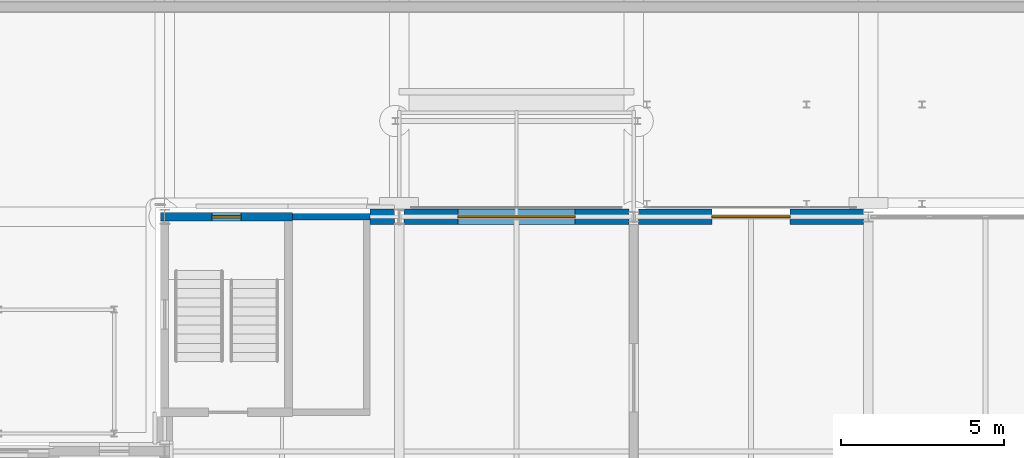
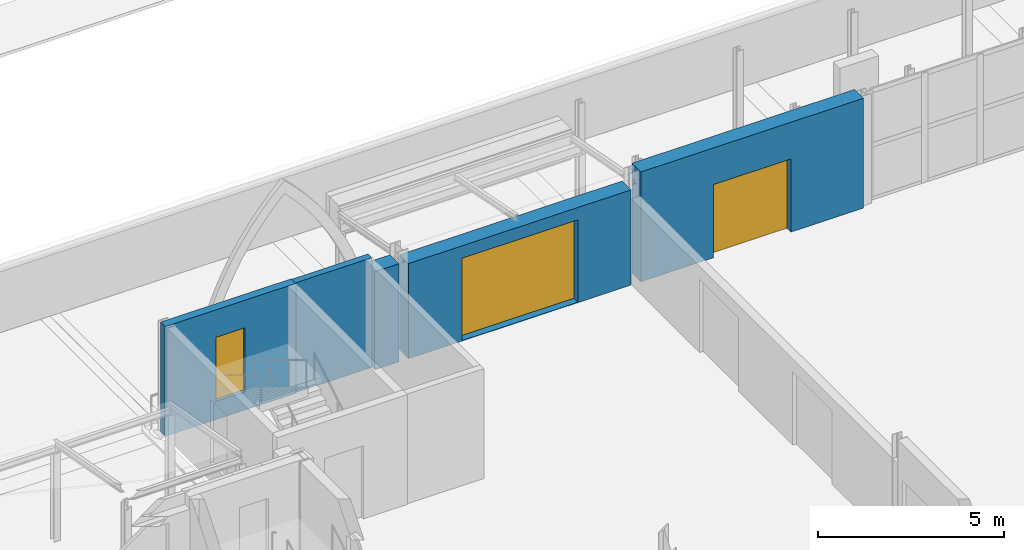
# One storey, part 86 of 143: 5 walls, 2 doors, 1 window, 3 openings.
"""IFC4 building model written with IfcOpenShell, lengths in metres."""

from ifc_helpers import new_model, si_unit, direction, frame, frame_2d, origin, place, context, subcontext, project, spatial, rectangle, extrude, material, layer, layer_set, type_object, element, fill, save


model = new_model("IFC4")

# Units and contexts
model_context = context("Model", 3, precision=1e-05, world=origin(), true_north=direction((0.0, 1.0)))
body_context = subcontext(model_context, "Body", "Model", "MODEL_VIEW")
ifc_project = project(units=[si_unit("LENGTHUNIT", "METRE"), si_unit("AREAUNIT", "SQUARE_METRE"), si_unit("VOLUMEUNIT", "CUBIC_METRE"), si_unit("PLANEANGLEUNIT", "RADIAN"), si_unit("MASSUNIT", "GRAM", prefix="KILO")], contexts=[model_context])

# Site, building, storey
site_placement = place(None, origin())
site = spatial("IfcSite", under=ifc_project, at=site_placement, CompositionType="ELEMENT")
building_placement = place(site_placement, origin())
building = spatial("IfcBuilding", under=site, at=building_placement, Name="Kupolbacken Congress Centre", CompositionType="ELEMENT")
storey_placement = place(building_placement, frame((0.0, 0.0, 7.199951171875)))
storey = spatial("IfcBuildingStorey", under=building, at=storey_placement, Name="L02", CompositionType="ELEMENT", Elevation=7.199951171875)

# Wall, opening, door
ifc_material_1 = material(Name="Limestone", Category="masonry")
ifc_layer_1 = layer(ifc_material_1, 0.14990234375)
ifc_material_2 = material(Name="Air cavity", Category="air")
ifc_layer_2 = layer(ifc_material_2, 0.0400390625, ventilated=True)
ifc_material_3 = material(Name="Mineral wool", Category="insulation")
ifc_layer_3 = layer(ifc_material_3, 0.169921875)
ifc_material_4 = material(Name="Concrete block", Category="masonry")
ifc_layer_4 = layer(ifc_material_4, 0.1201171875)
ifc_layer_set_1 = layer_set([ifc_layer_1, ifc_layer_2, ifc_layer_3, ifc_layer_4], Name="Limestone / Mineral wool / Concrete block")
wall_type_1 = type_object("IfcWallType", Name="EW07 external cavity wall 480", PredefinedType="SOLIDWALL", material=ifc_layer_set_1)
wall_1_placement = place(storey_placement, frame((158.25, 151.199951171875, 0.0), z_axis=(0.0, 0.0, 1.0), x_axis=(-1.0, 0.0, 0.0)))
wall_1 = element("IfcWall", 1, at=wall_1_placement, inside=storey, type_object=wall_type_1, Name="E/B/N/L02/211", PredefinedType="SOLIDWALL", context=body_context, shape_type="SweptSolid", body=[
    extrude(rectangle(XDim=6.89990234375, YDim=0.47998046875, at=frame_2d((3.449951171875, 0.0))), origin(), (0.0, 0.0, 1.0), 3.60009765625),
])
opening_1_placement = place(wall_1_placement, frame((2.25, 0.0, 0.0)))
opening_1 = element("IfcOpeningElement", 2, at=opening_1_placement, cuts=wall_1, Name="Opening D18", PredefinedType="OPENING", context=body_context, shape_type="SweptSolid", body=[
    extrude(rectangle(XDim=2.39990234375, YDim=2.39990234375, at=frame_2d((1.199951171875, 1.199951171875))), frame((0.0, 0.25, 0.0), z_axis=(0.0, -1.0, 0.0), x_axis=(1.0, 0.0, 0.0)), (0.0, 0.0, 1.0), 0.5),
])
ifc_material_5 = material(Name="Timber door leaf", Category="wood")
door_type_1 = type_object("IfcDoorType", Name="D18 door 2400x2400", OperationType="DOUBLE_DOOR_SINGLE_SWING", PredefinedType="DOOR", material=ifc_material_5)
door_1_placement = place(opening_1_placement, frame((2.39990234375, 0.0, 0.0), z_axis=(0.0, 0.0, 1.0), x_axis=(-1.0, 0.0, 0.0)))
door_1 = element("IfcDoor", 3, at=door_1_placement, inside=storey, type_object=door_type_1, Name="Ballroom exit N1", OperationType="DOUBLE_DOOR_SINGLE_SWING", OverallHeight=2.39990234375, OverallWidth=2.39990234375, PredefinedType="DOOR", context=body_context, shape_type="SweptSolid", body=[
    extrude(rectangle(XDim=2.39990234375, YDim=2.39990234375, at=frame_2d((1.199951171875, 1.199951171875))), frame((0.0, 0.02490234375, 0.0), z_axis=(0.0, -1.0, 0.0), x_axis=(1.0, 0.0, 0.0)), (0.0, 0.0, 1.0), 0.050048828125),
])
fill(opening_1, door_1)

wall_2_placement = place(storey_placement, frame((151.050048828125, 151.199951171875, 0.0), z_axis=(0.0, 0.0, 1.0), x_axis=(-1.0, 0.0, 0.0)))
wall_2 = element("IfcWall", 4, at=wall_2_placement, inside=storey, type_object=wall_type_1, Name="E/BF/N/L02/219", PredefinedType="SOLIDWALL", context=body_context, shape_type="SweptSolid", body=[
    extrude(rectangle(XDim=6.900146484375, YDim=0.47998046875, at=frame_2d((3.4501953125, 0.0))), origin(), (0.0, 0.0, 1.0), 3.1201171875),
])
opening_2_placement = place(wall_2_placement, frame((1.64990234375, 0.0, 0.014892578125)))
opening_2 = element("IfcOpeningElement", 5, at=opening_2_placement, cuts=wall_2, Name="Opening D47", PredefinedType="OPENING", context=body_context, shape_type="SweptSolid", body=[
    extrude(rectangle(XDim=3.60009765625, YDim=2.699951171875, at=frame_2d((1.800048828125, 1.35009765625))), frame((0.0, 0.25, 0.0), z_axis=(0.0, -1.0, 0.0), x_axis=(1.0, 0.0, 0.0)), (0.0, 0.0, 1.0), 0.5),
])
ifc_material_6 = material(Name="Aluminium framed glazed door", Category="aluminium")
door_type_2 = type_object("IfcDoorType", Name="D47 entrance door pair 3600x2700 with 15 mm threshold", OperationType="DOUBLE_DOOR_SINGLE_SWING", PredefinedType="DOOR", material=ifc_material_6)
door_2_placement = place(opening_2_placement, frame((3.60009765625, 0.0, 0.0), z_axis=(0.0, 0.0, 1.0), x_axis=(-1.0, 0.0, 0.0)))
door_2 = element("IfcDoor", 6, at=door_2_placement, inside=storey, type_object=door_type_2, Name="Foyer entrance 1", OperationType="DOUBLE_DOOR_SINGLE_SWING", OverallHeight=2.699951171875, OverallWidth=3.60009765625, PredefinedType="DOOR", context=body_context, shape_type="SweptSolid", body=[
    extrude(rectangle(XDim=3.60009765625, YDim=2.699951171875, at=frame_2d((1.800048828125, 1.35009765625))), frame((0.0, 0.02490234375, 0.0), z_axis=(0.0, -1.0, 0.0), x_axis=(1.0, 0.0, 0.0)), (0.0, 0.0, 1.0), 0.050048828125),
])
fill(opening_2, door_2)

# Walls
wall_3_placement = place(storey_placement, frame((143.85009765625, 151.199951171875, 0.0), z_axis=(0.0, 0.0, 1.0), x_axis=(-1.0, 0.0, 0.0)))
element("IfcWall", 7, at=wall_3_placement, inside=storey, type_object=wall_type_1, Name="E/BF/N/L02/220", PredefinedType="SOLIDWALL", context=body_context, shape_type="SweptSolid", body=[
    extrude(rectangle(XDim=0.75, YDim=0.47998046875, at=frame_2d((0.375, 0.0))), origin(), (0.0, 0.0, 1.0), 3.219970703125),
])
ifc_material_7 = material(Name="Concrete C40/50", Category="concrete")
ifc_layer_5 = layer(ifc_material_7, 0.199951171875)
ifc_layer_set_2 = layer_set([ifc_layer_5], Name="Concrete C40/50")
wall_type_2 = type_object("IfcWallType", Name="WC1 RC shaft wall 200", PredefinedType="SHEAR", material=ifc_layer_set_2)
wall_4_placement = place(storey_placement, frame((143.10009765625, 151.199951171875, 0.0), z_axis=(0.0, 0.0, 1.0), x_axis=(-1.0, 0.0, 0.0)))
element("IfcWall", 8, at=wall_4_placement, inside=storey, type_object=wall_type_2, Name="Shaft wall L02-138", PredefinedType="SHEAR", context=body_context, shape_type="SweptSolid", body=[
    extrude(rectangle(XDim=2.375, YDim=0.199951171875, at=frame_2d((1.1875, 0.0))), origin(), (0.0, 0.0, 1.0), 3.60009765625),
])

# Wall, opening, window
ifc_material_8 = material(Name="Concrete C40/50", Category="concrete")
ifc_layer_6 = layer(ifc_material_8, 0.25)
ifc_layer_set_3 = layer_set([ifc_layer_6], Name="Concrete C40/50")
wall_type_3 = type_object("IfcWallType", Name="WC2 RC stair enclosure wall 250", PredefinedType="SHEAR", material=ifc_layer_set_3)
wall_5_placement = place(storey_placement, frame((140.72509765625, 151.199951171875, 0.0), z_axis=(0.0, 0.0, 1.0), x_axis=(-1.0, 0.0, 0.0)))
wall_5 = element("IfcWall", 9, at=wall_5_placement, inside=storey, type_object=wall_type_3, Name="Stair enclosure wall L02-137", PredefinedType="SHEAR", context=body_context, shape_type="SweptSolid", body=[
    extrude(rectangle(XDim=4.050048828125, YDim=0.25, at=frame_2d((2.02490234375, 0.0))), origin(), (0.0, 0.0, 1.0), 3.60009765625),
])
opening_3_placement = place(wall_5_placement, frame((1.574951171875, 0.0, 0.60009765625)))
opening_3 = element("IfcOpeningElement", 10, at=opening_3_placement, cuts=wall_5, Name="Opening W28", PredefinedType="OPENING", context=body_context, shape_type="SweptSolid", body=[
    extrude(rectangle(XDim=0.89990234375, YDim=2.10009765625, at=frame_2d((0.449951171875, 1.050048828125))), frame((0.0, 0.135009765625, 0.0), z_axis=(0.0, -1.0, 0.0), x_axis=(1.0, 0.0, 0.0)), (0.0, 0.0, 1.0), 0.27001953125),
])
ifc_material_9 = material(Name="Aluminium frame with double or triple glazing", Category="aluminium")
window_type = type_object("IfcWindowType", Name="W28 window 900x2100", PartitioningType="SINGLE_PANEL", PredefinedType="WINDOW", material=ifc_material_9)
window_placement = place(opening_3_placement, origin())
window = element("IfcWindow", 11, at=window_placement, inside=storey, type_object=window_type, Name="S/core/L02/137/W1/L02", OverallHeight=2.10009765625, OverallWidth=0.89990234375, PartitioningType="SINGLE_PANEL", PredefinedType="WINDOW", context=body_context, shape_type="SweptSolid", body=[
    extrude(rectangle(XDim=0.89990234375, YDim=2.10009765625, at=frame_2d((0.449951171875, 1.050048828125))), frame((0.0, 0.030029296875, 0.0), z_axis=(0.0, -1.0, 0.0), x_axis=(1.0, 0.0, 0.0)), (0.0, 0.0, 1.0), 0.06005859375),
])
fill(opening_3, window)

save(model, "model.ifc")
